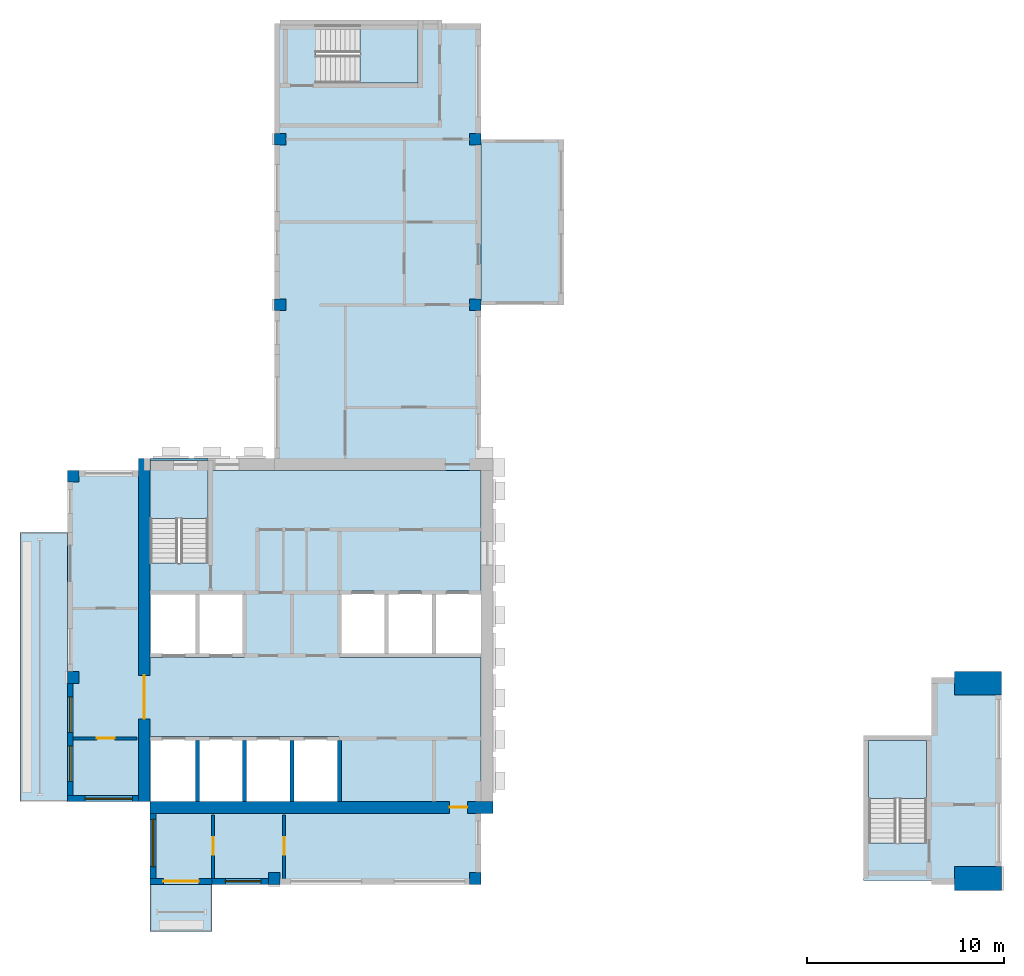
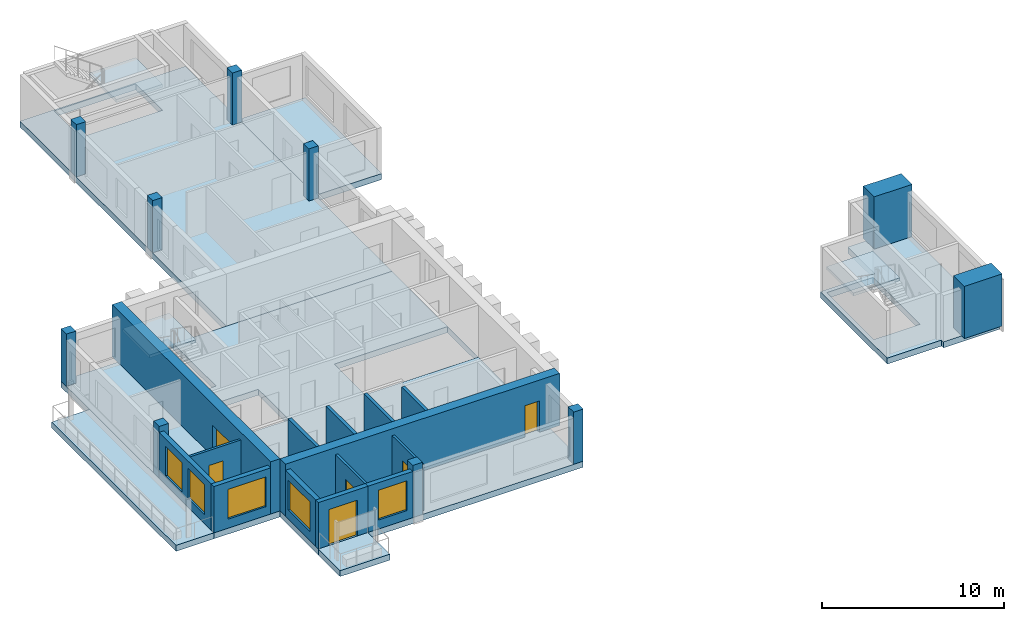
# One storey, part 1 of 9: 14 walls, 10 columns, 10 slabs, 6 doors, 5 windows, 11 openings, 3 elements without a shape of their own.
"""IFC4 building model written with IfcOpenShell, lengths in metres."""

import ifcopenshell
import ifcopenshell.guid

model = None  # the IFC model being written
_history = None  # IfcOwnerHistory: only IFC2X3 demands one
_inside = {}  # id of a spatial element -> (the spatial element, [elements in it])
_under = {}  # id of a project, library or spatial element -> (it, [spatial elements below it])
_declared = {}  # id of a project -> (the project, [libraries it declares])
_typed = {}  # id of a type object -> (the type object, [elements of that type])
_made_of = {}  # id of a material, layer set ... -> (it, [elements and type objects made of it])


def new_model(schema):
    """Start an empty IFC model of exactly this schema.

    Asked for "IFC4X3", IfcOpenShell would pick the latest addendum, in which some entities
    have other attributes; the version numbers below select the first issue.
    IFC2X3 requires an IfcOwnerHistory on every rooted entity: one is made here for all.
    """
    global model, _history
    if schema == "IFC4X3":
        model = ifcopenshell.file(schema_version=(4, 3, 0, 0))
    else:
        model = ifcopenshell.file(schema=schema)
    _inside.clear()
    _under.clear()
    _declared.clear()
    _typed.clear()
    _made_of.clear()
    _history = None
    if model.schema == "IFC2X3":
        org = make("IfcOrganization", Name="unknown")
        user = make(
            "IfcPersonAndOrganization",
            ThePerson=make("IfcPerson", FamilyName="unknown"),
            TheOrganization=org,
        )
        app = make(
            "IfcApplication",
            ApplicationDeveloper=org,
            Version="unknown",
            ApplicationFullName="unknown",
            ApplicationIdentifier="unknown",
        )
        _history = make(
            "IfcOwnerHistory",
            OwningUser=user,
            OwningApplication=app,
            ChangeAction="ADDED",
            CreationDate=0,
        )
    return model


def make(cls, **values):
    """One entity of the class cls with the attributes given. An attribute that is None is left unset."""
    return model.create_entity(
        cls, **{name: value for name, value in values.items() if value is not None}
    )


def rooted(cls, **values):
    """An entity with a GlobalId (a new one), such as an element, a storey or a relation."""
    return make(cls, GlobalId=ifcopenshell.guid.new(), OwnerHistory=_history, **values)


def si_unit(unit_type, name, prefix=None):
    """IfcSIUnit, for example si_unit("LENGTHUNIT", "METRE", prefix="MILLI")."""
    return make("IfcSIUnit", UnitType=unit_type, Prefix=prefix, Name=name)


def assignment(units):
    """IfcUnitAssignment: the units of a project."""
    return None if units is None else make("IfcUnitAssignment", Units=units)


def point(xyz):
    """IfcCartesianPoint."""
    return None if xyz is None else make("IfcCartesianPoint", Coordinates=xyz)


def direction(xyz):
    """IfcDirection."""
    return None if xyz is None else make("IfcDirection", DirectionRatios=xyz)


def frame(location, z_axis=None, x_axis=None):
    """IfcAxis2Placement3D, a coordinate frame: its origin and axes. An axis left out is left unset."""
    return make(
        "IfcAxis2Placement3D",
        Location=point(location),
        Axis=direction(z_axis),
        RefDirection=direction(x_axis),
    )


def frame_2d(location, x_axis=None):
    """IfcAxis2Placement2D, a coordinate frame in the plane: its origin and x axis."""
    return make(
        "IfcAxis2Placement2D", Location=point(location), RefDirection=direction(x_axis)
    )


def origin():
    """The frame at (0, 0, 0) with its axes left unset."""
    return frame((0.0, 0.0, 0.0))


def origin_2d():
    """The frame at (0, 0) in the plane with its x axis left unset."""
    return frame_2d((0.0, 0.0))


def place(relative_to, where):
    """IfcLocalPlacement: puts the frame where relative to a parent placement (None: the world)."""
    return make(
        "IfcLocalPlacement", PlacementRelTo=relative_to, RelativePlacement=where
    )


def context(
    kind, dimensions, precision=None, world=None, true_north=None, identifier=None
):
    """IfcGeometricRepresentationContext, for example the 3D "Model" context."""
    return make(
        "IfcGeometricRepresentationContext",
        ContextIdentifier=identifier,
        ContextType=kind,
        CoordinateSpaceDimension=dimensions,
        Precision=precision,
        WorldCoordinateSystem=world,
        TrueNorth=true_north,
    )


def subcontext(parent, identifier, kind, view, scale=None):
    """IfcGeometricRepresentationSubContext, for example "Body" below "Model"."""
    return make(
        "IfcGeometricRepresentationSubContext",
        ContextIdentifier=identifier,
        ContextType=kind,
        ParentContext=parent,
        TargetScale=scale,
        TargetView=view,
    )


def project(units=None, contexts=None):
    """IfcProject with its units and contexts."""
    return rooted(
        "IfcProject",
        Name="project",
        RepresentationContexts=contexts,
        UnitsInContext=assignment(units),
    )


def spatial(cls, under=None, at=None, **own):
    """A site, building, storey or space (cls), placed at a placement, below another one or the project."""
    s = rooted(cls, ObjectPlacement=at, **own)
    if under is not None:
        _under.setdefault(under.id(), (under, []))[1].append(s)
    return s


def polyline(points):
    """IfcPolyline through the points."""
    return make("IfcPolyline", Points=[point(p) for p in points])


def profile(cls, at=None, kind="AREA", **sizes):
    """A parametric profile (cls). Its sizes go by their IFC names, for example OverallWidth=200.0."""
    return make(cls, ProfileType=kind, Position=at, **sizes)


def rectangle(**sizes):
    """IfcRectangleProfileDef."""
    return profile("IfcRectangleProfileDef", **sizes)


def outline(outer, holes=None, kind="AREA"):
    """IfcArbitraryClosedProfileDef: a profile drawn as a closed curve; with holes, ...WithVoids."""
    if holes is None:
        return make("IfcArbitraryClosedProfileDef", ProfileType=kind, OuterCurve=outer)
    return make(
        "IfcArbitraryProfileDefWithVoids",
        ProfileType=kind,
        OuterCurve=outer,
        InnerCurves=holes,
    )


def extrude(swept, where, along, depth):
    """IfcExtrudedAreaSolid: the profile swept, set in the frame where, extruded along a direction by depth."""
    return make(
        "IfcExtrudedAreaSolid",
        SweptArea=swept,
        Position=where,
        ExtrudedDirection=direction(along),
        Depth=depth,
    )


def shape(context_of_items, identifier, shape_type, items):
    """IfcShapeRepresentation: the items that make up one representation, for example the "Body"."""
    return make(
        "IfcShapeRepresentation",
        ContextOfItems=context_of_items,
        RepresentationIdentifier=identifier,
        RepresentationType=shape_type,
        Items=items,
    )


def source(mapping_origin, context_of_items, identifier, shape_type, items):
    """IfcRepresentationMap: a shape defined once, which mapped items show again and again."""
    return make(
        "IfcRepresentationMap",
        MappingOrigin=mapping_origin,
        MappedRepresentation=shape(context_of_items, identifier, shape_type, items),
    )


def transform(
    local_origin,
    x_axis=None,
    y_axis=None,
    z_axis=None,
    scale=None,
    scale2=None,
    scale3=None,
    uniform=True,
):
    """IfcCartesianTransformationOperator3D, or its non-uniform kind. x_axis, y_axis, z_axis: its Axis1, 2, 3."""
    if uniform:
        return make(
            "IfcCartesianTransformationOperator3D",
            Axis1=direction(x_axis),
            Axis2=direction(y_axis),
            LocalOrigin=point(local_origin),
            Scale=scale,
            Axis3=direction(z_axis),
        )
    return make(
        "IfcCartesianTransformationOperator3DnonUniform",
        Axis1=direction(x_axis),
        Axis2=direction(y_axis),
        LocalOrigin=point(local_origin),
        Scale=scale,
        Axis3=direction(z_axis),
        Scale2=scale2,
        Scale3=scale3,
    )


def mapped(mapping_source, mapping_target):
    """IfcMappedItem: shows the shape of a source again, moved by a transform."""
    return make(
        "IfcMappedItem", MappingSource=mapping_source, MappingTarget=mapping_target
    )


def material(Name=None, Category=None):
    """IfcMaterial."""
    return make("IfcMaterial", Name=Name, Category=Category)


def layer(
    of_material, thickness, ventilated=None, Name=None, Category=None, Priority=None
):
    """IfcMaterialLayer: one layer of a wall or slab, of a material (None: an air gap)."""
    return make(
        "IfcMaterialLayer",
        Material=of_material,
        LayerThickness=thickness,
        IsVentilated=ventilated,
        Name=Name,
        Category=Category,
        Priority=Priority,
    )


def layer_set(layers, Name=None):
    """IfcMaterialLayerSet."""
    return make("IfcMaterialLayerSet", MaterialLayers=layers, LayerSetName=Name)


def material_profile(
    of_material, cross_section, Name=None, Category=None, Priority=None
):
    """IfcMaterialProfile: a cross section and its material."""
    return make(
        "IfcMaterialProfile",
        Name=Name,
        Material=of_material,
        Profile=cross_section,
        Priority=Priority,
        Category=Category,
    )


def profile_set(profiles, Name=None, composite=None):
    """IfcMaterialProfileSet."""
    return make(
        "IfcMaterialProfileSet",
        Name=Name,
        MaterialProfiles=profiles,
        CompositeProfile=composite,
    )


def made_of(thing, what):
    """Note that an element or type object is made of a material, layer set ...; save() writes the relation."""
    if what is not None:
        _made_of.setdefault(what.id(), (what, []))[1].append(thing)
    return thing


def type_object(cls, material=None, **own):
    """A type object (cls), such as IfcWallType, which elements share."""
    return made_of(rooted(cls, **own), material)


def element(
    cls,
    number,
    at=None,
    inside=None,
    cuts=None,
    type_object=None,
    material=None,
    context=None,
    identifier="Body",
    shape_type=None,
    held_by="IfcProductDefinitionShape",
    body=None,
    shapes=None,
    **own,
):
    """One element of the class cls, such as IfcWall. Its Tag is "e" and its number.

    at: its placement. inside: the storey or other place that contains it. cuts: it is an
    opening in that element (IfcRelVoidsElement). A single representation is given by context,
    identifier, shape_type and body (its items); several are given by shapes. held_by: the class
    of the entity that holds the representations. save() writes the other relations.
    """
    e = rooted(cls, Tag="e%d" % number, ObjectPlacement=at, **own)
    if body is not None:
        shapes = [shape(context, identifier, shape_type, body)]
    if shapes is not None:
        e.Representation = make(held_by, Representations=shapes)
    if inside is not None:
        _inside.setdefault(inside.id(), (inside, []))[1].append(e)
    if cuts is not None:
        rooted(
            "IfcRelVoidsElement", RelatingBuildingElement=cuts, RelatedOpeningElement=e
        )
    if type_object is not None:
        _typed.setdefault(type_object.id(), (type_object, []))[1].append(e)
    return made_of(e, material)


def fill(opening, filler):
    """IfcRelFillsElement: the door or window that sits in an opening."""
    return rooted(
        "IfcRelFillsElement",
        RelatingOpeningElement=opening,
        RelatedBuildingElement=filler,
    )


def aggregate(whole, parts):
    """IfcRelAggregates: a whole, such as a stair, and the parts it consists of."""
    return rooted("IfcRelAggregates", RelatingObject=whole, RelatedObjects=parts)


def save(model, path):
    """Write the relations noted so far, then the file.

    IfcRelAggregates (storeys below a building ...), IfcRelContainedInSpatialStructure (elements
    in a storey), IfcRelDefinesByType, IfcRelAssociatesMaterial and IfcRelDeclares: one each for
    every whole, place, type object, material and project.
    """
    for whole, parts in _under.values():
        aggregate(whole, parts)
    for where, things in _inside.values():
        rooted(
            "IfcRelContainedInSpatialStructure",
            RelatedElements=things,
            RelatingStructure=where,
        )
    for kind, things in _typed.values():
        rooted("IfcRelDefinesByType", RelatedObjects=things, RelatingType=kind)
    for what, things in _made_of.values():
        rooted("IfcRelAssociatesMaterial", RelatedObjects=things, RelatingMaterial=what)
    for by, libraries in _declared.values():
        rooted("IfcRelDeclares", RelatingContext=by, RelatedDefinitions=libraries)
    model.write(path)


model = new_model("IFC4")

# Units and contexts
model_context = context("Model", 3, precision=1e-05, world=origin(), true_north=direction((0.0, 1.0)))
body_context = subcontext(model_context, "Body", "Model", "MODEL_VIEW")
ifc_project = project(units=[si_unit("LENGTHUNIT", "METRE"), si_unit("AREAUNIT", "SQUARE_METRE"), si_unit("VOLUMEUNIT", "CUBIC_METRE"), si_unit("PLANEANGLEUNIT", "RADIAN"), si_unit("MASSUNIT", "GRAM", prefix="KILO")], contexts=[model_context])

# Site, building, storey
site_placement = place(None, origin())
site = spatial("IfcSite", under=ifc_project, at=site_placement, CompositionType="ELEMENT")
building_placement = place(site_placement, origin())
building = spatial("IfcBuilding", under=site, at=building_placement, Name="Aurelian Terraces", CompositionType="ELEMENT")
storey_placement = place(building_placement, frame((0.0, 0.0, 340.5)))
storey = spatial("IfcBuildingStorey", under=building, at=storey_placement, Name="L80", CompositionType="ELEMENT", Elevation=340.5)

# Columns
ifc_material_1 = material(Name="Concrete fc' 55 MPa", Category="concrete")
ifc_material_profile_1 = material_profile(ifc_material_1, rectangle(XDim=0.6, YDim=0.6, at=origin_2d()))
ifc_profile_set_1 = profile_set([ifc_material_profile_1], Name="Concrete fc' 55 MPa")
column_type_1 = type_object("IfcColumnType", Name="RC COLUMN 600X600 FC55", PredefinedType="COLUMN", material=ifc_profile_set_1)
shared_shape_1 = source(origin(), body_context, "Body", "SweptSolid", [
    extrude(rectangle(XDim=0.6, YDim=0.6, at=origin_2d()), origin(), (0.0, 0.0, 1.0), 3.5),
])
for number, where, z_axis, x_axis, name in (
    (1, (10.5, 0.3, 0.0), (0.0, 0.0, 1.0), (1.0, 0.0, 0.0), "Column 2/A L80"),
    (2, (20.7, 0.3, 0.0), (0.0, 0.0, 1.0), (1.0, 0.0, 0.0), "Column 3/A L80"),
    (3, (0.3, 10.5, 0.0), (0.0, 0.0, 1.0), (1.0, 0.0, 0.0), "Column 1/B L80"),
    (4, (0.3, 20.7, 0.0), (0.0, 0.0, 1.0), (1.0, 0.0, 0.0), "Column 1/C L80"),
    (5, (10.8, 29.4, 0.0), (0.0, 0.0, 1.0), (1.0, 0.0, 0.0), "Column 2/D L80"),
    (6, (20.7, 29.4, 0.0), (0.0, 0.0, 1.0), (1.0, 0.0, 0.0), "Column 3/D L80"),
    (7, (10.8, 37.8, 0.0), (0.0, 0.0, 1.0), (1.0, 0.0, 0.0), "Column 2/E L80"),
    (8, (20.7, 37.8, 0.0), (0.0, 0.0, 1.0), (1.0, 0.0, 0.0), "Column 3/E L80"),
):
    element("IfcColumn", number, at=place(storey_placement, frame(where, z_axis=z_axis, x_axis=x_axis)), inside=storey, type_object=column_type_1, Name=name, PredefinedType="COLUMN", context=body_context, shape_type="MappedRepresentation", body=[
        mapped(shared_shape_1, transform((0.0, 0.0, 0.0), scale=1.0)),
    ])
ifc_material_profile_2 = material_profile(ifc_material_1, rectangle(XDim=2.4, YDim=1.2, at=origin_2d()))
ifc_profile_set_2 = profile_set([ifc_material_profile_2], Name="Concrete fc' 55 MPa")
column_type_2 = type_object("IfcColumnType", Name="Portal jamb pilaster 2400x1200", PredefinedType="PILASTER", material=ifc_profile_set_2)
shared_shape_2 = source(origin(), body_context, "Body", "SweptSolid", [
    extrude(rectangle(XDim=2.4, YDim=1.2, at=origin_2d()), origin(), (0.0, 0.0, 1.0), 3.5),
])
for number, where, z_axis, x_axis, name in (
    (9, (46.2, 0.3, 0.0), (0.0, 0.0, 1.0), (1.0, 0.0, 0.0), "Column 6/A L80"),
    (10, (46.2, 10.2, 0.0), (0.0, 0.0, 1.0), (1.0, 0.0, 0.0), "Column 6/B L80"),
):
    element("IfcColumn", number, at=place(storey_placement, frame(where, z_axis=z_axis, x_axis=x_axis)), inside=storey, type_object=column_type_2, Name=name, PredefinedType="PILASTER", context=body_context, shape_type="MappedRepresentation", body=[
        mapped(shared_shape_2, transform((0.0, 0.0, 0.0), scale=1.0)),
    ])

# Slabs
ifc_material_2 = material(Name="Concrete fc' 40 MPa", Category="concrete")
ifc_layer_1 = layer(ifc_material_2, 0.4)
ifc_layer_set_1 = layer_set([ifc_layer_1], Name="PT FLAT PLATE 400")
slab_type_1 = type_object("IfcSlabType", Name="PT FLAT PLATE 400", PredefinedType="FLOOR", material=ifc_layer_set_1)
shared_shape_3 = source(origin(), body_context, "Body", "SweptSolid", [
    extrude(outline(polyline([(10.5, 43.68), (14.7, 43.68), (16.8, 43.68), (21.0, 43.68), (21.0, 21.0), (10.5, 21.0), (10.5, 43.68)]), holes=[polyline([(17.79, 43.59), (12.61, 43.59), (12.61, 40.66), (17.79, 40.66), (17.79, 43.59)])]), origin(), (0.0, 0.0, 1.0), 0.4),
])
slab_1_placement = place(storey_placement, frame((0.0, 0.0, -0.4)))
element("IfcSlab", 11, at=slab_1_placement, inside=storey, type_object=slab_type_1, Name="Floor slab W L80", PredefinedType="FLOOR", context=body_context, shape_type="MappedRepresentation", body=[
    mapped(shared_shape_3, transform((0.0, 0.0, 0.0), scale=1.0)),
])
shared_shape_4 = source(origin(), body_context, "Body", "SweptSolid", [
    extrude(outline(polyline([(4.2, 21.0), (4.2, 21.6), (7.15, 21.6), (7.15, 21.0), (7.14, 21.0), (7.14, 21.49), (4.21, 21.49), (4.21, 21.0), (4.2, 21.0)])), origin(), (0.0, 0.0, 1.0), 0.4),
])
slab_2_placement = place(storey_placement, frame((0.0, 0.0, -0.4)))
element("IfcSlab", 12, at=slab_2_placement, inside=storey, type_object=slab_type_1, Name="Floor slab W2 L80", PredefinedType="FLOOR", context=body_context, shape_type="MappedRepresentation", body=[
    mapped(shared_shape_4, transform((0.0, 0.0, 0.0), scale=1.0)),
])
shared_shape_5 = source(origin(), body_context, "Body", "SweptSolid", [
    extrude(outline(polyline([(0.0, 4.2), (0.0, 10.5), (0.0, 21.0), (4.21, 21.0), (4.21, 16.31), (7.14, 16.31), (7.14, 21.0), (21.0, 21.0), (21.0, 10.5), (21.0, 0.0), (4.2, 0.0), (4.2, 4.2), (0.0, 4.2)]), holes=[polyline([(13.81, 14.89), (13.81, 11.51), (20.99, 11.51), (20.99, 14.89), (13.81, 14.89)]), polyline([(4.21, 7.49), (4.21, 4.21), (13.79, 4.21), (13.79, 7.49), (4.21, 7.49)]), polyline([(8.99, 11.51), (8.99, 14.89), (4.21, 14.89), (4.21, 11.51), (8.99, 11.51)])]), origin(), (0.0, 0.0, 1.0), 0.4),
])
slab_3_placement = place(storey_placement, frame((0.0, 0.0, -0.4)))
element("IfcSlab", 13, at=slab_3_placement, inside=storey, type_object=slab_type_1, Name="Floor slab S L80", PredefinedType="FLOOR", context=body_context, shape_type="MappedRepresentation", body=[
    mapped(shared_shape_5, transform((0.0, 0.0, 0.0), scale=1.0)),
])
shared_shape_6 = source(origin(), body_context, "Body", "SweptSolid", [
    extrude(outline(polyline([(43.85, 7.55), (43.85, 10.5), (47.4, 10.5), (47.4, 0.0), (43.85, 0.0), (43.85, 0.2), (40.4, 0.2), (40.4, 7.55), (43.85, 7.55)]), holes=[polyline([(40.66, 2.11), (43.59, 2.11), (43.59, 7.29), (40.66, 7.29), (40.66, 2.11)])]), origin(), (0.0, 0.0, 1.0), 0.4),
])
slab_4_placement = place(storey_placement, frame((0.0, 0.0, -0.4)))
element("IfcSlab", 14, at=slab_4_placement, inside=storey, type_object=slab_type_1, Name="Floor slab S2 L80", PredefinedType="FLOOR", context=body_context, shape_type="MappedRepresentation", body=[
    mapped(shared_shape_6, transform((0.0, 0.0, 0.0), scale=1.0)),
])
ifc_layer_2 = layer(ifc_material_2, 0.41)
ifc_layer_set_2 = layer_set([ifc_layer_2], Name="Box floor 410")
slab_type_2 = type_object("IfcSlabType", Name="Box floor 410", PredefinedType="NOTDEFINED", material=ifc_layer_set_2)
shared_shape_7 = source(origin(), body_context, "Body", "SweptSolid", [
    extrude(outline(polyline([(25.2, 29.4), (25.2, 37.8), (21.0, 37.8), (21.0, 29.4), (25.2, 29.4)])), origin(), (0.0, 0.0, 1.0), 0.41),
])
slab_5_placement = place(storey_placement, frame((0.0, 0.0, -0.41)))
element("IfcSlab", 15, at=slab_5_placement, inside=storey, type_object=slab_type_2, Name="Box floor L80 J94", PredefinedType="NOTDEFINED", context=body_context, shape_type="MappedRepresentation", body=[
    mapped(shared_shape_7, transform((0.0, 0.0, 0.0), scale=1.0)),
])
ifc_layer_3 = layer(ifc_material_2, 0.4)
ifc_layer_set_3 = layer_set([ifc_layer_3], Name="Balcony slab 400")
slab_type_3 = type_object("IfcSlabType", Name="Balcony slab 400", PredefinedType="NOTDEFINED", material=ifc_layer_set_3)
shared_shape_8 = source(origin(), body_context, "Body", "SweptSolid", [
    extrude(outline(polyline([(0.0, 17.85), (0.0, 4.2), (-2.4, 4.2), (-2.4, 17.85), (0.0, 17.85)])), origin(), (0.0, 0.0, 1.0), 0.4),
])
slab_6_placement = place(storey_placement, frame((0.0, 0.0, -0.4)))
element("IfcSlab", 16, at=slab_6_placement, inside=storey, type_object=slab_type_3, Name="Balcony slab L80 F10.20", PredefinedType="NOTDEFINED", context=body_context, shape_type="MappedRepresentation", body=[
    mapped(shared_shape_8, transform((0.0, 0.0, 0.0), scale=1.0)),
])
shared_shape_9 = source(origin(), body_context, "Body", "SweptSolid", [
    extrude(outline(polyline([(4.2, 0.0), (7.35, 0.0), (7.35, -2.4), (4.2, -2.4), (4.2, 0.0)])), origin(), (0.0, 0.0, 1.0), 0.4),
])
slab_7_placement = place(storey_placement, frame((0.0, 0.0, -0.4)))
element("IfcSlab", 17, at=slab_7_placement, inside=storey, type_object=slab_type_3, Name="Balcony slab L80 F01.1", PredefinedType="NOTDEFINED", context=body_context, shape_type="MappedRepresentation", body=[
    mapped(shared_shape_9, transform((0.0, 0.0, 0.0), scale=1.0)),
])

# Stair, slab
stair_type = type_object("IfcStairType", Name="Stair 1400", PredefinedType="HALF_TURN_STAIR", material=ifc_material_2)
stair_1_placement = place(storey_placement, origin())
stair_1 = element("IfcStair", 18, at=stair_1_placement, inside=storey, type_object=stair_type, Name="L80 S1", PredefinedType="HALF_TURN_STAIR")
ifc_layer_4 = layer(ifc_material_2, 0.2)
ifc_layer_set_4 = layer_set([ifc_layer_4], Name="Stair landing 200")
slab_type_4 = type_object("IfcSlabType", Name="Stair landing 200", PredefinedType="LANDING", material=ifc_layer_set_4)
shared_shape_10 = source(origin(), body_context, "Body", "SweptSolid", [
    extrude(outline(polyline([(7.15, 18.55), (7.15, 21.5), (4.2, 21.5), (4.2, 18.55), (7.15, 18.55)])), origin(), (0.0, 0.0, 1.0), 0.2),
])
slab_8_placement = place(storey_placement, frame((0.0, 0.0, 1.55)))
slab_8 = element("IfcSlab", 19, at=slab_8_placement, type_object=slab_type_4, Name="S1 landing 1", PredefinedType="LANDING", context=body_context, shape_type="MappedRepresentation", body=[
    mapped(shared_shape_10, transform((0.0, 0.0, 0.0), scale=1.0)),
])
aggregate(stair_1, [slab_8])

stair_2_placement = place(storey_placement, origin())
stair_2 = element("IfcStair", 20, at=stair_2_placement, inside=storey, type_object=stair_type, Name="L80 S2", PredefinedType="HALF_TURN_STAIR")
shared_shape_11 = source(origin(), body_context, "Body", "SweptSolid", [
    extrude(outline(polyline([(43.6, 4.35), (43.6, 7.3), (40.65, 7.3), (40.65, 4.35), (43.6, 4.35)])), origin(), (0.0, 0.0, 1.0), 0.2),
])
slab_9_placement = place(storey_placement, frame((0.0, 0.0, 1.55)))
slab_9 = element("IfcSlab", 21, at=slab_9_placement, type_object=slab_type_4, Name="S2 landing 1", PredefinedType="LANDING", context=body_context, shape_type="MappedRepresentation", body=[
    mapped(shared_shape_11, transform((0.0, 0.0, 0.0), scale=1.0)),
])
aggregate(stair_2, [slab_9])

stair_3_placement = place(storey_placement, origin())
stair_3 = element("IfcStair", 22, at=stair_3_placement, inside=storey, type_object=stair_type, Name="L80 S3U", PredefinedType="HALF_TURN_STAIR")
shared_shape_12 = source(origin(), body_context, "Body", "SweptSolid", [
    extrude(outline(polyline([(14.85, 40.65), (17.8, 40.65), (17.8, 43.6), (14.85, 43.6), (14.85, 40.65)])), origin(), (0.0, 0.0, 1.0), 0.2),
])
slab_10_placement = place(storey_placement, frame((0.0, 0.0, 1.55)))
slab_10 = element("IfcSlab", 23, at=slab_10_placement, type_object=slab_type_4, Name="S3U landing 1", PredefinedType="LANDING", context=body_context, shape_type="MappedRepresentation", body=[
    mapped(shared_shape_12, transform((0.0, 0.0, 0.0), scale=1.0)),
])
aggregate(stair_3, [slab_10])

# Wall, opening, door
ifc_layer_5 = layer(ifc_material_1, 0.6)
ifc_layer_set_5 = layer_set([ifc_layer_5], Name="CORE WALL 600 FC55")
wall_type_1 = type_object("IfcWallType", Name="CORE WALL 600 FC55", PredefinedType="SHEAR", material=ifc_layer_set_5)
shared_shape_13 = source(origin(), body_context, "Body", "SweptSolid", [
    extrude(rectangle(XDim=17.4, YDim=0.6, at=frame_2d((8.7, 0.0))), origin(), (0.0, 0.0, 1.0), 3.5),
])
wall_1_placement = place(storey_placement, frame((3.9, 4.2, 0.0), z_axis=(0.0, 0.0, 1.0), x_axis=(0.0, 1.0, 0.0)))
wall_1 = element("IfcWall", 24, at=wall_1_placement, inside=storey, type_object=wall_type_1, Name="Core wall W L80", PredefinedType="SHEAR", context=body_context, shape_type="MappedRepresentation", body=[
    mapped(shared_shape_13, transform((0.0, 0.0, 0.0), scale=1.0)),
])
shared_shape_14 = source(origin(), body_context, "Body", "SweptSolid", [
    extrude(rectangle(XDim=2.2, YDim=2.1, at=frame_2d((1.1, 1.05))), frame((0.0, 0.31, 0.0), z_axis=(0.0, -1.0, 0.0), x_axis=(1.0, 0.0, 0.0)), (0.0, 0.0, 1.0), 0.62),
])
opening_1_placement = place(wall_1_placement, frame((4.2, 0.0, 0.0)))
opening_1 = element("IfcOpeningElement", 25, at=opening_1_placement, cuts=wall_1, Name="Opening 68324", PredefinedType="OPENING", context=body_context, shape_type="MappedRepresentation", body=[
    mapped(shared_shape_14, transform((0.0, 0.0, 0.0), scale=1.0)),
])
ifc_material_3 = material(Name="Steel door leaf", Category="steel")
door_type_1 = type_object("IfcDoorType", Name="Core double door 2200x2100", OperationType="DOUBLE_DOOR_SINGLE_SWING", PredefinedType="DOOR", material=ifc_material_3)
shared_shape_15 = source(origin(), body_context, "Body", "SweptSolid", [
    extrude(rectangle(XDim=2.2, YDim=2.1, at=frame_2d((1.1, 1.05))), frame((0.0, 0.025, 0.0), z_axis=(0.0, -1.0, 0.0), x_axis=(1.0, 0.0, 0.0)), (0.0, 0.0, 1.0), 0.05),
])
door_1_placement = place(opening_1_placement, origin())
door_1 = element("IfcDoor", 26, at=door_1_placement, inside=storey, type_object=door_type_1, Name="Core door 68324", OperationType="DOUBLE_DOOR_SINGLE_SWING", OverallHeight=2.1, OverallWidth=2.2, PredefinedType="DOOR", context=body_context, shape_type="MappedRepresentation", body=[
    mapped(shared_shape_15, transform((0.0, 0.0, 0.0), scale=1.0)),
])
fill(opening_1, door_1)

wall_2_placement = place(storey_placement, frame((4.2, 3.9, 0.0), z_axis=(0.0, 0.0, 1.0), x_axis=(1.0, 0.0, 0.0)))
wall_2 = element("IfcWall", 27, at=wall_2_placement, inside=storey, type_object=wall_type_1, Name="Core wall S L80", PredefinedType="SHEAR", context=body_context, shape_type="MappedRepresentation", body=[
    mapped(shared_shape_13, transform((0.0, 0.0, 0.0), scale=1.0)),
])
shared_shape_16 = source(origin(), body_context, "Body", "SweptSolid", [
    extrude(rectangle(XDim=0.9, YDim=2.1, at=frame_2d((0.45, 1.05))), frame((0.0, 0.31, 0.0), z_axis=(0.0, -1.0, 0.0), x_axis=(1.0, 0.0, 0.0)), (0.0, 0.0, 1.0), 0.62),
])
opening_2_placement = place(wall_2_placement, frame((15.2, 0.0, 0.0)))
opening_2 = element("IfcOpeningElement", 28, at=opening_2_placement, cuts=wall_2, Name="Opening 68326", PredefinedType="OPENING", context=body_context, shape_type="MappedRepresentation", body=[
    mapped(shared_shape_16, transform((0.0, 0.0, 0.0), scale=1.0)),
])
door_type_2 = type_object("IfcDoorType", Name="Core service door 900x2100 right", OperationType="SINGLE_SWING_RIGHT", PredefinedType="DOOR", material=ifc_material_3)
shared_shape_17 = source(origin(), body_context, "Body", "SweptSolid", [
    extrude(rectangle(XDim=0.9, YDim=2.1, at=frame_2d((0.45, 1.05))), frame((0.0, 0.025, 0.0), z_axis=(0.0, -1.0, 0.0), x_axis=(1.0, 0.0, 0.0)), (0.0, 0.0, 1.0), 0.05),
])
door_2_placement = place(opening_2_placement, origin())
door_2 = element("IfcDoor", 29, at=door_2_placement, inside=storey, type_object=door_type_2, Name="Core door 68326", OperationType="SINGLE_SWING_RIGHT", OverallHeight=2.1, OverallWidth=0.9, PredefinedType="DOOR", context=body_context, shape_type="MappedRepresentation", body=[
    mapped(shared_shape_17, transform((0.0, 0.0, 0.0), scale=1.0)),
])
fill(opening_2, door_2)

# Wall, opening, window
ifc_material_4 = material(Name="Terracotta rainscreen cladding", Category="masonry")
ifc_layer_6 = layer(ifc_material_4, 0.3)
ifc_layer_set_6 = layer_set([ifc_layer_6], Name="EW-300")
wall_type_2 = type_object("IfcWallType", Name="EW-300", PredefinedType="STANDARD", material=ifc_layer_set_6)
shared_shape_18 = source(origin(), body_context, "Body", "SweptSolid", [
    extrude(rectangle(XDim=3.6, YDim=0.3, at=frame_2d((1.8, 0.0))), origin(), (0.0, 0.0, 1.0), 3.1),
])
wall_3_placement = place(storey_placement, frame((0.0, 4.35, 0.0), z_axis=(0.0, 0.0, 1.0), x_axis=(1.0, 0.0, 0.0)))
wall_3 = element("IfcWall", 30, at=wall_3_placement, inside=storey, type_object=wall_type_2, Name="External wall L80 F11.21", PredefinedType="STANDARD", context=body_context, shape_type="MappedRepresentation", body=[
    mapped(shared_shape_18, transform((0.0, 0.0, 0.0), scale=1.0)),
])
shared_shape_19 = source(origin(), body_context, "Body", "SweptSolid", [
    extrude(rectangle(XDim=2.4, YDim=2.0, at=frame_2d((1.2, 1.0))), frame((0.0, 0.16, 0.0), z_axis=(0.0, -1.0, 0.0), x_axis=(1.0, 0.0, 0.0)), (0.0, 0.0, 1.0), 0.32),
])
opening_3_placement = place(wall_3_placement, frame((0.9, 0.0, 0.6)))
opening_3 = element("IfcOpeningElement", 31, at=opening_3_placement, cuts=wall_3, Name="Opening W2420", PredefinedType="OPENING", context=body_context, shape_type="MappedRepresentation", body=[
    mapped(shared_shape_19, transform((0.0, 0.0, 0.0), scale=1.0)),
])
ifc_material_5 = material(Name="Clear glazing", Category="glass")
window_type_1 = type_object("IfcWindowType", Name="W-2400x2000", PartitioningType="SINGLE_PANEL", PredefinedType="WINDOW", material=ifc_material_5)
shared_shape_20 = source(origin(), body_context, "Body", "SweptSolid", [
    extrude(rectangle(XDim=2.4, YDim=2.0, at=frame_2d((1.2, 1.0))), frame((0.0, 0.03, 0.0), z_axis=(0.0, -1.0, 0.0), x_axis=(1.0, 0.0, 0.0)), (0.0, 0.0, 1.0), 0.06),
])
window_1_placement = place(opening_3_placement, origin())
window_1 = element("IfcWindow", 32, at=window_1_placement, inside=storey, type_object=window_type_1, Name="Window L80 L80-F11-21-0", OverallHeight=2.0, OverallWidth=2.4, PartitioningType="SINGLE_PANEL", PredefinedType="WINDOW", context=body_context, shape_type="MappedRepresentation", body=[
    mapped(shared_shape_20, transform((0.0, 0.0, 0.0), scale=1.0)),
])
fill(opening_3, window_1)

wall_4_placement = place(storey_placement, frame((4.35, 3.6, 0.0), z_axis=(0.0, 0.0, 1.0), x_axis=(0.0, -1.0, 0.0)))
wall_4 = element("IfcWall", 33, at=wall_4_placement, inside=storey, type_object=wall_type_2, Name="External wall L80 F12.22", PredefinedType="STANDARD", context=body_context, shape_type="MappedRepresentation", body=[
    mapped(shared_shape_18, transform((0.0, 0.0, 0.0), scale=1.0)),
])
opening_4_placement = place(wall_4_placement, frame((0.3, 0.0, 0.6)))
opening_4 = element("IfcOpeningElement", 34, at=opening_4_placement, cuts=wall_4, Name="Opening W2420", PredefinedType="OPENING", context=body_context, shape_type="MappedRepresentation", body=[
    mapped(shared_shape_19, transform((0.0, 0.0, 0.0), scale=1.0)),
])
window_2_placement = place(opening_4_placement, origin())
window_2 = element("IfcWindow", 35, at=window_2_placement, inside=storey, type_object=window_type_1, Name="Window L80 L80-F12-22-0", OverallHeight=2.0, OverallWidth=2.4, PartitioningType="SINGLE_PANEL", PredefinedType="WINDOW", context=body_context, shape_type="MappedRepresentation", body=[
    mapped(shared_shape_20, transform((0.0, 0.0, 0.0), scale=1.0)),
])
fill(opening_4, window_2)

# Wall, opening, door
shared_shape_21 = source(origin(), body_context, "Body", "SweptSolid", [
    extrude(rectangle(XDim=3.15, YDim=0.3, at=frame_2d((1.575, 0.0))), origin(), (0.0, 0.0, 1.0), 3.1),
])
wall_5_placement = place(storey_placement, frame((4.2, 0.15, 0.0), z_axis=(0.0, 0.0, 1.0), x_axis=(1.0, 0.0, 0.0)))
wall_5 = element("IfcWall", 36, at=wall_5_placement, inside=storey, type_object=wall_type_2, Name="External wall L80 F01.1", PredefinedType="STANDARD", context=body_context, shape_type="MappedRepresentation", body=[
    mapped(shared_shape_21, transform((0.0, 0.0, 0.0), scale=1.0)),
])
shared_shape_22 = source(origin(), body_context, "Body", "SweptSolid", [
    extrude(rectangle(XDim=1.8, YDim=2.4, at=frame_2d((0.9, 1.2))), frame((0.0, 0.16, 0.0), z_axis=(0.0, -1.0, 0.0), x_axis=(1.0, 0.0, 0.0)), (0.0, 0.0, 1.0), 0.32),
])
opening_5_placement = place(wall_5_placement, frame((0.675, 0.0, 0.0)))
opening_5 = element("IfcOpeningElement", 37, at=opening_5_placement, cuts=wall_5, Name="Opening 88001", PredefinedType="OPENING", context=body_context, shape_type="MappedRepresentation", body=[
    mapped(shared_shape_22, transform((0.0, 0.0, 0.0), scale=1.0)),
])
door_type_3 = type_object("IfcDoorType", Name="BD-1800x2400", OperationType="SLIDING_TO_LEFT", PredefinedType="DOOR", material=ifc_material_5)
shared_shape_23 = source(origin(), body_context, "Body", "SweptSolid", [
    extrude(rectangle(XDim=1.8, YDim=2.4, at=frame_2d((0.9, 1.2))), frame((0.0, 0.025, 0.0), z_axis=(0.0, -1.0, 0.0), x_axis=(1.0, 0.0, 0.0)), (0.0, 0.0, 1.0), 0.05),
])
door_3_placement = place(opening_5_placement, origin())
door_3 = element("IfcDoor", 38, at=door_3_placement, inside=storey, type_object=door_type_3, Name="Balcony door L80 F01.1", OperationType="SLIDING_TO_LEFT", OverallHeight=2.4, OverallWidth=1.8, PredefinedType="DOOR", context=body_context, shape_type="MappedRepresentation", body=[
    mapped(shared_shape_23, transform((0.0, 0.0, 0.0), scale=1.0)),
])
fill(opening_5, door_3)

# Wall, openings, windows
shared_shape_24 = source(origin(), body_context, "Body", "SweptSolid", [
    extrude(rectangle(XDim=6.0, YDim=0.3, at=frame_2d((3.0, 0.0))), origin(), (0.0, 0.0, 1.0), 3.1),
])
wall_6_placement = place(storey_placement, frame((0.15, 10.2, 0.0), z_axis=(0.0, 0.0, 1.0), x_axis=(0.0, -1.0, 0.0)))
wall_6 = element("IfcWall", 39, at=wall_6_placement, inside=storey, type_object=wall_type_2, Name="External wall L80 F10.20", PredefinedType="STANDARD", context=body_context, shape_type="MappedRepresentation", body=[
    mapped(shared_shape_24, transform((0.0, 0.0, 0.0), scale=1.0)),
])
shared_shape_25 = source(origin(), body_context, "Body", "SweptSolid", [
    extrude(rectangle(XDim=1.8, YDim=2.0, at=frame_2d((0.9, 1.0))), frame((0.0, 0.16, 0.0), z_axis=(0.0, -1.0, 0.0), x_axis=(1.0, 0.0, 0.0)), (0.0, 0.0, 1.0), 0.32),
])
opening_6_placement = place(wall_6_placement, frame((3.175, 0.0, 0.6)))
opening_6 = element("IfcOpeningElement", 40, at=opening_6_placement, cuts=wall_6, Name="Opening W1820", PredefinedType="OPENING", context=body_context, shape_type="MappedRepresentation", body=[
    mapped(shared_shape_25, transform((0.0, 0.0, 0.0), scale=1.0)),
])
opening_7_placement = place(wall_6_placement, frame((0.6875, 0.0, 0.6)))
opening_7 = element("IfcOpeningElement", 41, at=opening_7_placement, cuts=wall_6, Name="Opening W1820", PredefinedType="OPENING", context=body_context, shape_type="MappedRepresentation", body=[
    mapped(shared_shape_25, transform((0.0, 0.0, 0.0), scale=1.0)),
])
window_type_2 = type_object("IfcWindowType", Name="W-1800x2000", PartitioningType="SINGLE_PANEL", PredefinedType="WINDOW", material=ifc_material_5)
shared_shape_26 = source(origin(), body_context, "Body", "SweptSolid", [
    extrude(rectangle(XDim=1.8, YDim=2.0, at=frame_2d((0.9, 1.0))), frame((0.0, 0.03, 0.0), z_axis=(0.0, -1.0, 0.0), x_axis=(1.0, 0.0, 0.0)), (0.0, 0.0, 1.0), 0.06),
])
window_3_placement = place(opening_6_placement, origin())
window_3 = element("IfcWindow", 42, at=window_3_placement, inside=storey, type_object=window_type_2, Name="Window L80 L80-F10-20-2", OverallHeight=2.0, OverallWidth=1.8, PartitioningType="SINGLE_PANEL", PredefinedType="WINDOW", context=body_context, shape_type="MappedRepresentation", body=[
    mapped(shared_shape_26, transform((0.0, 0.0, 0.0), scale=1.0)),
])
fill(opening_6, window_3)
window_4_placement = place(opening_7_placement, origin())
window_4 = element("IfcWindow", 43, at=window_4_placement, inside=storey, type_object=window_type_2, Name="Window L80 L80-F10-20-G1-76", OverallHeight=2.0, OverallWidth=1.8, PartitioningType="SINGLE_PANEL", PredefinedType="WINDOW", context=body_context, shape_type="MappedRepresentation", body=[
    mapped(shared_shape_26, transform((0.0, 0.0, 0.0), scale=1.0)),
])
fill(opening_7, window_4)

# Wall, opening, window
shared_shape_27 = source(origin(), body_context, "Body", "SweptSolid", [
    extrude(rectangle(XDim=2.85, YDim=0.3, at=frame_2d((1.425, 0.0))), origin(), (0.0, 0.0, 1.0), 3.1),
])
wall_7_placement = place(storey_placement, frame((7.35, 0.15, 0.0), z_axis=(0.0, 0.0, 1.0), x_axis=(1.0, 0.0, 0.0)))
wall_7 = element("IfcWall", 44, at=wall_7_placement, inside=storey, type_object=wall_type_2, Name="External wall L80 F01.2", PredefinedType="STANDARD", context=body_context, shape_type="MappedRepresentation", body=[
    mapped(shared_shape_27, transform((0.0, 0.0, 0.0), scale=1.0)),
])
opening_8_placement = place(wall_7_placement, frame((0.675, 0.0, 0.6)))
opening_8 = element("IfcOpeningElement", 45, at=opening_8_placement, cuts=wall_7, Name="Opening W1820", PredefinedType="OPENING", context=body_context, shape_type="MappedRepresentation", body=[
    mapped(shared_shape_25, transform((0.0, 0.0, 0.0), scale=1.0)),
])
window_5_placement = place(opening_8_placement, origin())
window_5 = element("IfcWindow", 46, at=window_5_placement, inside=storey, type_object=window_type_2, Name="Window L80 L80-F01-02-0", OverallHeight=2.0, OverallWidth=1.8, PartitioningType="SINGLE_PANEL", PredefinedType="WINDOW", context=body_context, shape_type="MappedRepresentation", body=[
    mapped(shared_shape_26, transform((0.0, 0.0, 0.0), scale=1.0)),
])
fill(opening_8, window_5)

# Walls
ifc_layer_7 = layer(ifc_material_2, 0.2)
ifc_layer_set_7 = layer_set([ifc_layer_7], Name="Lift shaft wall 200")
wall_type_3 = type_object("IfcWallType", Name="Lift shaft wall 200", PredefinedType="SOLIDWALL", material=ifc_layer_set_7)
shared_shape_28 = source(origin(), body_context, "Body", "SweptSolid", [
    extrude(rectangle(XDim=3.1, YDim=0.2, at=frame_2d((1.55, 0.0))), origin(), (0.0, 0.0, 1.0), 3.5),
])
for number, where, z_axis, x_axis, name in (
    (47, (6.6, 4.2, 0.0), (0.0, 0.0, 1.0), (0.0, 1.0, 0.0), "L80 core wall CD-A1"),
    (48, (9.0, 4.2, 0.0), (0.0, 0.0, 1.0), (0.0, 1.0, 0.0), "L80 core wall CD-A2"),
    (49, (11.4, 4.2, 0.0), (0.0, 0.0, 1.0), (0.0, 1.0, 0.0), "L80 core wall CD-A3"),
):
    element("IfcWall", number, at=place(storey_placement, frame(where, z_axis=z_axis, x_axis=x_axis)), inside=storey, type_object=wall_type_3, Name=name, PredefinedType="SOLIDWALL", context=body_context, shape_type="MappedRepresentation", body=[
        mapped(shared_shape_28, transform((0.0, 0.0, 0.0), scale=1.0)),
    ])
shared_shape_29 = source(origin(), body_context, "Body", "SweptSolid", [
    extrude(rectangle(XDim=3.1, YDim=0.2, at=frame_2d((1.55, 0.0))), origin(), (0.0, 0.0, 1.0), 3.1),
])
wall_8_placement = place(storey_placement, frame((13.8, 4.2, 0.0), z_axis=(0.0, 0.0, 1.0), x_axis=(0.0, 1.0, 0.0)))
element("IfcWall", 50, at=wall_8_placement, inside=storey, type_object=wall_type_3, Name="L80 core wall CD-A4", PredefinedType="SOLIDWALL", context=body_context, shape_type="MappedRepresentation", body=[
    mapped(shared_shape_29, transform((0.0, 0.0, 0.0), scale=1.0)),
])

# Wall, opening, door
ifc_material_6 = material(Name="Gypsum board on steel studs", Category="steel")
ifc_layer_8 = layer(ifc_material_6, 0.15)
ifc_layer_set_8 = layer_set([ifc_layer_8], Name="Partition 150")
wall_type_4 = type_object("IfcWallType", Name="Partition 150", PredefinedType="PARTITIONING", material=ifc_layer_set_8)
shared_shape_30 = source(origin(), body_context, "Body", "SweptSolid", [
    extrude(rectangle(XDim=3.225, YDim=0.15, at=frame_2d((1.6125, 0.0))), origin(), (0.0, 0.0, 1.0), 3.1),
])
wall_9_placement = place(storey_placement, frame((7.4, 3.525, 0.0), z_axis=(0.0, 0.0, 1.0), x_axis=(0.0, -1.0, 0.0)))
wall_9 = element("IfcWall", 51, at=wall_9_placement, inside=storey, type_object=wall_type_4, Name="Partition", PredefinedType="PARTITIONING", context=body_context, shape_type="MappedRepresentation", body=[
    mapped(shared_shape_30, transform((0.0, 0.0, 0.0), scale=1.0)),
])
shared_shape_31 = source(origin(), body_context, "Body", "SweptSolid", [
    extrude(rectangle(XDim=0.9, YDim=2.1, at=frame_2d((0.45, 1.05))), frame((0.0, 0.085, 0.0), z_axis=(0.0, -1.0, 0.0), x_axis=(1.0, 0.0, 0.0)), (0.0, 0.0, 1.0), 0.17),
])
opening_9_placement = place(wall_9_placement, frame((1.125, 0.0, 0.0)))
opening_9 = element("IfcOpeningElement", 52, at=opening_9_placement, cuts=wall_9, Name="Opening 780001", PredefinedType="OPENING", context=body_context, shape_type="MappedRepresentation", body=[
    mapped(shared_shape_31, transform((0.0, 0.0, 0.0), scale=1.0)),
])
ifc_material_7 = material(Name="Timber door leaf", Category="wood")
door_type_4 = type_object("IfcDoorType", Name="Room door 900x2100 right", OperationType="SINGLE_SWING_RIGHT", PredefinedType="DOOR", material=ifc_material_7)
door_4_placement = place(opening_9_placement, origin())
door_4 = element("IfcDoor", 53, at=door_4_placement, inside=storey, type_object=door_type_4, Name="Door 780001", OperationType="SINGLE_SWING_RIGHT", OverallHeight=2.1, OverallWidth=0.9, PredefinedType="DOOR", context=body_context, shape_type="MappedRepresentation", body=[
    mapped(shared_shape_17, transform((0.0, 0.0, 0.0), scale=1.0)),
])
fill(opening_9, door_4)

wall_10_placement = place(storey_placement, frame((11.0, 3.525, 0.0), z_axis=(0.0, 0.0, 1.0), x_axis=(0.0, -1.0, 0.0)))
wall_10 = element("IfcWall", 54, at=wall_10_placement, inside=storey, type_object=wall_type_4, Name="Partition", PredefinedType="PARTITIONING", context=body_context, shape_type="MappedRepresentation", body=[
    mapped(shared_shape_30, transform((0.0, 0.0, 0.0), scale=1.0)),
])
opening_10_placement = place(wall_10_placement, frame((1.125, 0.0, 0.0)))
opening_10 = element("IfcOpeningElement", 55, at=opening_10_placement, cuts=wall_10, Name="Opening 780002", PredefinedType="OPENING", context=body_context, shape_type="MappedRepresentation", body=[
    mapped(shared_shape_31, transform((0.0, 0.0, 0.0), scale=1.0)),
])
door_type_5 = type_object("IfcDoorType", Name="Room door 900x2100 left", OperationType="SINGLE_SWING_LEFT", PredefinedType="DOOR", material=ifc_material_7)
door_5_placement = place(opening_10_placement, origin())
door_5 = element("IfcDoor", 56, at=door_5_placement, inside=storey, type_object=door_type_5, Name="Door 780002", OperationType="SINGLE_SWING_LEFT", OverallHeight=2.1, OverallWidth=0.9, PredefinedType="DOOR", context=body_context, shape_type="MappedRepresentation", body=[
    mapped(shared_shape_17, transform((0.0, 0.0, 0.0), scale=1.0)),
])
fill(opening_10, door_5)

wall_11_placement = place(storey_placement, frame((0.3, 7.4, 0.0), z_axis=(0.0, 0.0, 1.0), x_axis=(1.0, 0.0, 0.0)))
wall_11 = element("IfcWall", 57, at=wall_11_placement, inside=storey, type_object=wall_type_4, Name="Partition", PredefinedType="PARTITIONING", context=body_context, shape_type="MappedRepresentation", body=[
    mapped(shared_shape_30, transform((0.0, 0.0, 0.0), scale=1.0)),
])
opening_11_placement = place(wall_11_placement, frame((1.2, 0.0, 0.0)))
opening_11 = element("IfcOpeningElement", 58, at=opening_11_placement, cuts=wall_11, Name="Opening 780003", PredefinedType="OPENING", context=body_context, shape_type="MappedRepresentation", body=[
    mapped(shared_shape_31, transform((0.0, 0.0, 0.0), scale=1.0)),
])
door_6_placement = place(opening_11_placement, origin())
door_6 = element("IfcDoor", 59, at=door_6_placement, inside=storey, type_object=door_type_4, Name="Door 780003", OperationType="SINGLE_SWING_RIGHT", OverallHeight=2.1, OverallWidth=0.9, PredefinedType="DOOR", context=body_context, shape_type="MappedRepresentation", body=[
    mapped(shared_shape_17, transform((0.0, 0.0, 0.0), scale=1.0)),
])
fill(opening_11, door_6)

save(model, "model.ifc")
